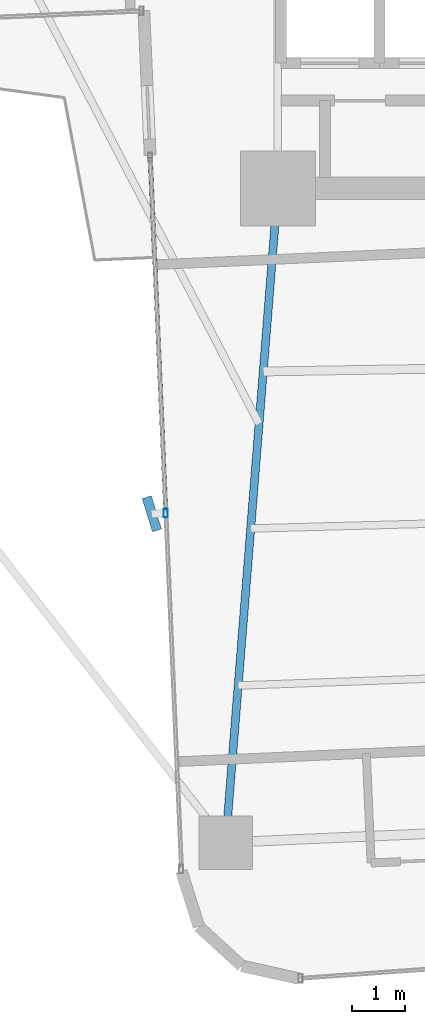
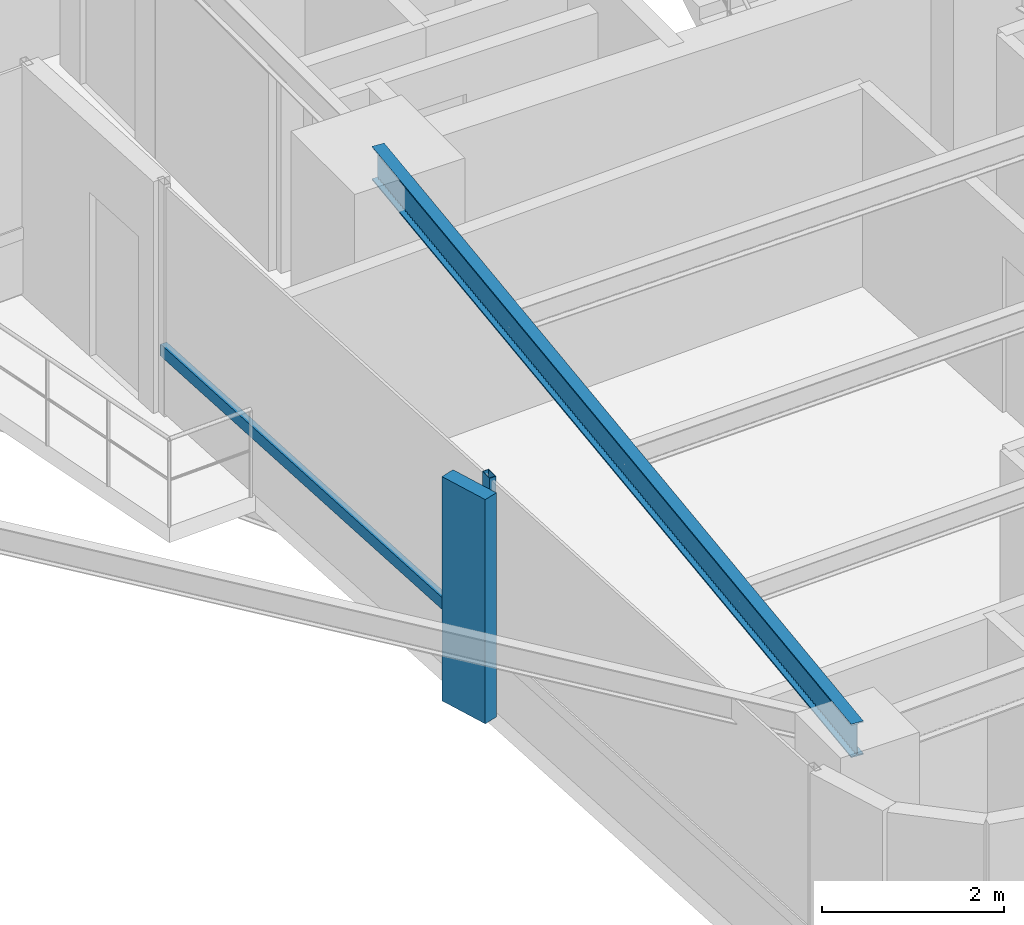
# One storey, part 4 of 26: 3 members, 1 beam, 1 element without a shape of its own.
"""IFC4 building model written with IfcOpenShell, lengths in metres."""

from ifc_helpers import new_model, si_unit, direction, frame, origin, origin_2d, place, context, subcontext, project, spatial, rectangle, hollow_rectangle, i_section, extrude, source, transform, mapped, material, material_profile, profile_set, type_object, element, aggregate, save


model = new_model("IFC4")

# Units and contexts
model_context = context("Model", 3, precision=1e-05, world=origin(), true_north=direction((0.0, 1.0)))
body_context = subcontext(model_context, "Body", "Model", "MODEL_VIEW")
ifc_project = project(units=[si_unit("LENGTHUNIT", "METRE"), si_unit("AREAUNIT", "SQUARE_METRE"), si_unit("VOLUMEUNIT", "CUBIC_METRE"), si_unit("PLANEANGLEUNIT", "RADIAN"), si_unit("MASSUNIT", "GRAM", prefix="KILO")], contexts=[model_context])

# Site, building, storey
site_placement = place(None, origin())
site = spatial("IfcSite", under=ifc_project, at=site_placement, CompositionType="ELEMENT")
building_placement = place(site_placement, origin())
building = spatial("IfcBuilding", under=site, at=building_placement, Name="Sahyath Konkavel Grand Hotel", CompositionType="ELEMENT")
storey_placement = place(building_placement, frame((0.0, 0.0, 128.199951171875)))
storey = spatial("IfcBuildingStorey", under=building, at=storey_placement, Name="L35", CompositionType="ELEMENT", Elevation=128.199951171875)

# Beam
ifc_material_1 = material(Name="Steel E350", Category="steel")
ifc_material_profile_1 = material_profile(ifc_material_1, i_section(OverallWidth=0.14990234375, OverallDepth=0.449951171875, WebThickness=0.009521484375, FlangeThickness=0.017333984375, FilletRadius=0.014892578125, at=origin_2d()), Name="ISMB 450")
ifc_profile_set_1 = profile_set([ifc_material_profile_1], Name="Steel E350")
beam_type = type_object("IfcBeamType", Name="BM-ISMB450", PredefinedType="BEAM", material=ifc_profile_set_1)
shared_shape_1 = source(origin(), body_context, "Body", "SweptSolid", [
    extrude(i_section(OverallWidth=0.14990234375, OverallDepth=0.449951171875, WebThickness=0.009521484375, FlangeThickness=0.017333984375, FilletRadius=0.014892578125, at=origin_2d()), origin(), (0.0, 0.0, 1.0), 12.2685546875),
])
beam_placement = place(storey_placement, frame((-3.800048828125, -10.199951171875, 2.885009765625), z_axis=(-0.079558563357, -0.996830193662, 0.0), x_axis=(0.996830193662, -0.079558563357, 0.0)))
element("IfcBeam", 1, at=beam_placement, inside=storey, type_object=beam_type, Name="L35 Cruciform Radial Girder SA", PredefinedType="BEAM", context=body_context, shape_type="MappedRepresentation", body=[
    mapped(shared_shape_1, transform((0.0, 0.0, 0.0), scale=1.0)),
])

# Curtain wall, members
ifc_material_2 = material(Name="Anodised Bronze Aluminium & Low-E Glazing", Category="aluminium")
curtain_wall_type = type_object("IfcCurtainWallType", Name="CW-ZONE2", PredefinedType="NOTDEFINED", material=ifc_material_2)
curtain_wall_placement = place(storey_placement, origin())
curtain_wall = element("IfcCurtainWall", 2, at=curtain_wall_placement, inside=storey, type_object=curtain_wall_type, Name="L35 Unitised Curtain Wall F24", PredefinedType="NOTDEFINED")
ifc_material_3 = material(Name="Warm Buff Sandstone Cladding on Concrete C50/60", Category="masonry")
ifc_material_profile_2 = material_profile(ifc_material_3, rectangle(XDim=0.179931640625, YDim=0.64990234375, at=origin_2d()), Name="FIN 180x650")
ifc_profile_set_2 = profile_set([ifc_material_profile_2], Name="Warm Buff Sandstone Cladding on Concrete C50/60")
member_type_1 = type_object("IfcMemberType", Name="FIN-SANDSTONE-650", PredefinedType="MULLION", material=ifc_profile_set_2)
shared_shape_2 = source(origin(), body_context, "Body", "SweptSolid", [
    extrude(rectangle(XDim=0.179931640625, YDim=0.64990234375, at=origin_2d()), origin(), (0.0, 0.0, 1.0), 3.010009765625),
])
member_1_placement = place(storey_placement, frame((-6.155517578125, -16.283935546875, 0.050048828125), z_axis=(0.0, 0.0, 1.0), x_axis=(0.955690317134, 0.294373942013, 0.0)))
member_1 = element("IfcMember", 3, at=member_1_placement, type_object=member_type_1, Name="L35 Sandstone Vertical Solar Fin FIN F24-1", PredefinedType="MULLION", context=body_context, shape_type="MappedRepresentation", body=[
    mapped(shared_shape_2, transform((0.0, 0.0, 0.0), scale=1.0)),
])
ifc_material_4 = material(Name="Anodised Bronze Aluminium", Category="aluminium")
ifc_material_profile_3 = material_profile(ifc_material_4, hollow_rectangle(XDim=0.080078125, YDim=0.159912109375, WallThickness=0.006103515625, at=origin_2d()), Name="RHS 160x80x6")
ifc_profile_set_3 = profile_set([ifc_material_profile_3], Name="Anodised Bronze Aluminium")
member_type_2 = type_object("IfcMemberType", Name="CW-MUL-160", PredefinedType="MULLION", material=ifc_profile_set_3)
shared_shape_3 = source(origin(), body_context, "Body", "SweptSolid", [
    extrude(hollow_rectangle(XDim=0.080078125, YDim=0.159912109375, WallThickness=0.006103515625, at=origin_2d()), origin(), (0.0, 0.0, 1.0), 3.110107421875),
])
member_2_placement = place(storey_placement, frame((-5.895751953125, -16.272705078125, 0.0), z_axis=(0.0, 0.0, 1.0), x_axis=(1.0, 0.0, 0.0)))
member_2 = element("IfcMember", 4, at=member_2_placement, type_object=member_type_2, Name="L35 Curtain Wall Mullion F24-1", PredefinedType="MULLION", context=body_context, shape_type="MappedRepresentation", body=[
    mapped(shared_shape_3, transform((0.0, 0.0, 0.0), scale=1.0)),
])
ifc_material_profile_4 = material_profile(ifc_material_4, hollow_rectangle(XDim=0.080078125, YDim=0.159912109375, WallThickness=0.006103515625, at=origin_2d()), Name="RHS 160x80x6")
ifc_profile_set_4 = profile_set([ifc_material_profile_4], Name="Anodised Bronze Aluminium")
member_type_3 = type_object("IfcMemberType", Name="CW-TRN-160", PredefinedType="USERDEFINED", material=ifc_profile_set_4)
shared_shape_4 = source(origin(), body_context, "Body", "SweptSolid", [
    extrude(hollow_rectangle(XDim=0.080078125, YDim=0.159912109375, WallThickness=0.006103515625, at=origin_2d()), origin(), (0.0, 0.0, 1.0), 6.66015625),
])
member_3_placement = place(storey_placement, frame((-6.186279296875, -9.618896484375, 0.85009765625), z_axis=(0.043621753165, -0.999048118286, 0.0), x_axis=(0.999048118286, 0.043621753165, 0.0)))
member_3 = element("IfcMember", 5, at=member_3_placement, type_object=member_type_3, Name="L35 Curtain Wall Transom F24-0-spandrel", ObjectType="TRANSOM", PredefinedType="USERDEFINED", context=body_context, shape_type="MappedRepresentation", body=[
    mapped(shared_shape_4, transform((0.0, 0.0, 0.0), scale=1.0)),
])
aggregate(curtain_wall, [member_2, member_1, member_3])

save(model, "model.ifc")
